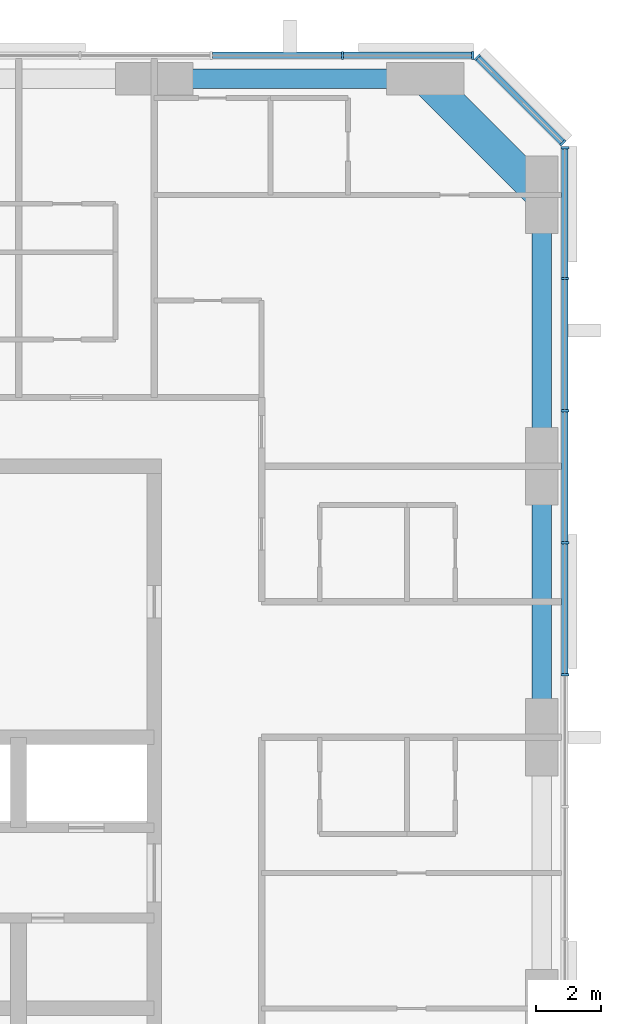
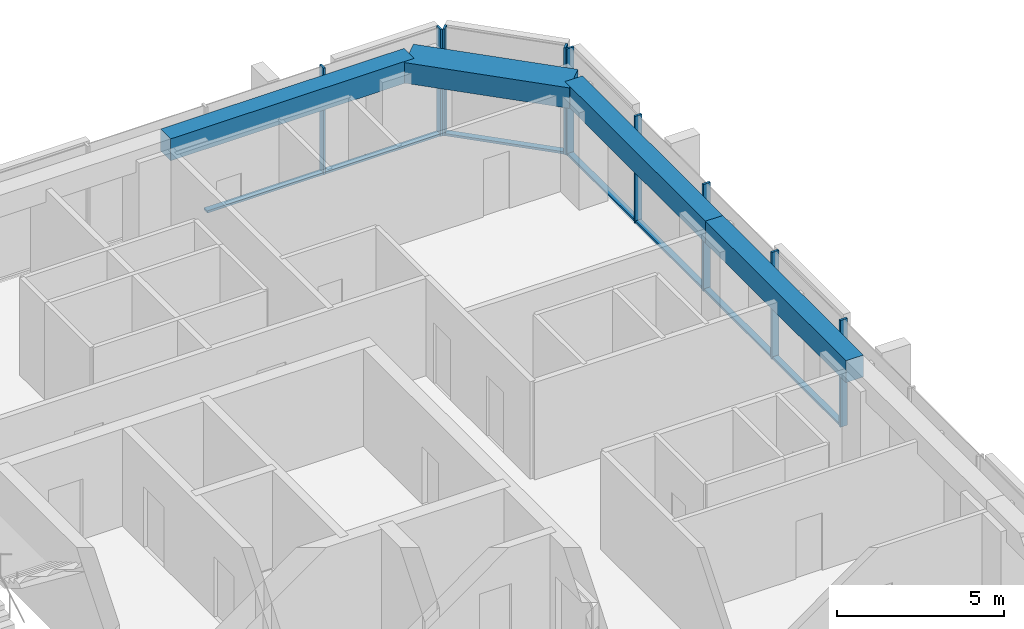
# One storey, part 5 of 12: 16 members, 4 beams, 3 elements without a shape of their own.
"""IFC4 building model written with IfcOpenShell, lengths in metres."""

from ifc_helpers import new_model, si_unit, direction, frame, origin, origin_2d, place, context, subcontext, project, spatial, rectangle, extrude, material, material_profile, profile_set, type_object, element, aggregate, save


model = new_model("IFC4")

# Units and contexts
model_context = context("Model", 3, precision=1e-05, world=origin(), true_north=direction((0.0, 1.0)))
body_context = subcontext(model_context, "Body", "Model", "MODEL_VIEW")
ifc_project = project(units=[si_unit("LENGTHUNIT", "METRE"), si_unit("AREAUNIT", "SQUARE_METRE"), si_unit("VOLUMEUNIT", "CUBIC_METRE"), si_unit("PLANEANGLEUNIT", "RADIAN"), si_unit("MASSUNIT", "GRAM", prefix="KILO")], contexts=[model_context])

# Site, building, storey
site_placement = place(None, origin())
site = spatial("IfcSite", under=ifc_project, at=site_placement, CompositionType="ELEMENT")
building_placement = place(site_placement, origin())
building = spatial("IfcBuilding", under=site, at=building_placement, Name="Dunama Terrace Hotel", CompositionType="ELEMENT")
storey_placement = place(building_placement, frame((0.0, 0.0, 268.5)))
storey = spatial("IfcBuildingStorey", under=building, at=storey_placement, Name="L69", CompositionType="ELEMENT", Elevation=268.5)

# Curtain wall, members
ifc_material_1 = material(Name="Aluminium curtain wall system", Category="aluminium")
curtain_wall_type = type_object("IfcCurtainWallType", Name="Unitised fritted glass wall CW-D", PredefinedType="NOTDEFINED", material=ifc_material_1)
curtain_wall_1_placement = place(storey_placement, origin())
curtain_wall_1 = element("IfcCurtainWall", 1, at=curtain_wall_1_placement, inside=storey, type_object=curtain_wall_type, Name="Unitised fritted glass wall CW-D L69", PredefinedType="NOTDEFINED")
ifc_material_2 = material(Name="Aluminium mullion", Category="aluminium")
ifc_material_profile_1 = material_profile(ifc_material_2, rectangle(XDim=0.070068359375, YDim=0.239990234375, at=origin_2d()), Name="CWD MULLION 70X240")
ifc_profile_set_1 = profile_set([ifc_material_profile_1], Name="Aluminium mullion")
member_type_1 = type_object("IfcMemberType", Name="CWD mullion 70x240", PredefinedType="MULLION", material=ifc_profile_set_1)
member_1_placement = place(storey_placement, frame((54.719970703125, 35.535888671875, 0.0), z_axis=(0.0, 0.0, 1.0), x_axis=(0.0, 1.0, 0.0)))
member_1 = element("IfcMember", 2, at=member_1_placement, type_object=member_type_1, Name="CWD mullion", PredefinedType="MULLION", context=body_context, shape_type="SweptSolid", body=[
    extrude(rectangle(XDim=0.070068359375, YDim=0.239990234375, at=origin_2d()), origin(), (0.0, 0.0, 1.0), 3.89990234375),
])
member_2_placement = place(storey_placement, frame((54.719970703125, 39.626953125, 0.0), z_axis=(0.0, 0.0, 1.0), x_axis=(0.0, 1.0, 0.0)))
member_2 = element("IfcMember", 3, at=member_2_placement, type_object=member_type_1, Name="CWD mullion", PredefinedType="MULLION", context=body_context, shape_type="SweptSolid", body=[
    extrude(rectangle(XDim=0.070068359375, YDim=0.239990234375, at=origin_2d()), origin(), (0.0, 0.0, 1.0), 3.89990234375),
])
member_3_placement = place(storey_placement, frame((54.719970703125, 43.718017578125, 0.0), z_axis=(0.0, 0.0, 1.0), x_axis=(0.0, 1.0, 0.0)))
member_3 = element("IfcMember", 4, at=member_3_placement, type_object=member_type_1, Name="CWD mullion", PredefinedType="MULLION", context=body_context, shape_type="SweptSolid", body=[
    extrude(rectangle(XDim=0.070068359375, YDim=0.239990234375, at=origin_2d()), origin(), (0.0, 0.0, 1.0), 3.89990234375),
])
member_4_placement = place(storey_placement, frame((54.719970703125, 47.80908203125, 0.0), z_axis=(0.0, 0.0, 1.0), x_axis=(0.0, 1.0, 0.0)))
member_4 = element("IfcMember", 5, at=member_4_placement, type_object=member_type_1, Name="CWD mullion", PredefinedType="MULLION", context=body_context, shape_type="SweptSolid", body=[
    extrude(rectangle(XDim=0.070068359375, YDim=0.239990234375, at=origin_2d()), origin(), (0.0, 0.0, 1.0), 3.89990234375),
])
member_5_placement = place(storey_placement, frame((54.719970703125, 51.864990234375, 0.0), z_axis=(0.0, 0.0, 1.0), x_axis=(0.0, 1.0, 0.0)))
member_5 = element("IfcMember", 6, at=member_5_placement, type_object=member_type_1, Name="CWD mullion", PredefinedType="MULLION", context=body_context, shape_type="SweptSolid", body=[
    extrude(rectangle(XDim=0.070068359375, YDim=0.239990234375, at=origin_2d()), origin(), (0.0, 0.0, 1.0), 3.89990234375),
])

curtain_wall_2_placement = place(storey_placement, origin())
curtain_wall_2 = element("IfcCurtainWall", 7, at=curtain_wall_2_placement, inside=storey, type_object=curtain_wall_type, Name="Unitised fritted glass wall CW-D L69", PredefinedType="NOTDEFINED")
member_6_placement = place(storey_placement, frame((54.659912109375, 52.010009765625, 0.0), z_axis=(0.0, 0.0, 1.0), x_axis=(-0.707106781187, 0.707106781187, 0.0)))
member_6 = element("IfcMember", 8, at=member_6_placement, type_object=member_type_1, Name="CWD mullion", PredefinedType="MULLION", context=body_context, shape_type="SweptSolid", body=[
    extrude(rectangle(XDim=0.070068359375, YDim=0.239990234375, at=origin_2d()), origin(), (0.0, 0.0, 1.0), 3.89990234375),
])
member_7_placement = place(storey_placement, frame((52.010009765625, 54.659912109375, 0.0), z_axis=(0.0, 0.0, 1.0), x_axis=(-0.707106781187, 0.707106781187, 0.0)))
member_7 = element("IfcMember", 9, at=member_7_placement, type_object=member_type_1, Name="CWD mullion", PredefinedType="MULLION", context=body_context, shape_type="SweptSolid", body=[
    extrude(rectangle(XDim=0.070068359375, YDim=0.239990234375, at=origin_2d()), origin(), (0.0, 0.0, 1.0), 3.89990234375),
])

curtain_wall_3_placement = place(storey_placement, origin())
curtain_wall_3 = element("IfcCurtainWall", 10, at=curtain_wall_3_placement, inside=storey, type_object=curtain_wall_type, Name="Unitised fritted glass wall CW-D L69", PredefinedType="NOTDEFINED")
member_8_placement = place(storey_placement, frame((51.864990234375, 54.719970703125, 0.0), z_axis=(0.0, 0.0, 1.0), x_axis=(-1.0, 0.0, 0.0)))
member_8 = element("IfcMember", 11, at=member_8_placement, type_object=member_type_1, Name="CWD mullion", PredefinedType="MULLION", context=body_context, shape_type="SweptSolid", body=[
    extrude(rectangle(XDim=0.070068359375, YDim=0.239990234375, at=origin_2d()), origin(), (0.0, 0.0, 1.0), 3.89990234375),
])
member_9_placement = place(storey_placement, frame((47.8330078125, 54.719970703125, 0.0), z_axis=(0.0, 0.0, 1.0), x_axis=(-1.0, 0.0, 0.0)))
member_9 = element("IfcMember", 12, at=member_9_placement, type_object=member_type_1, Name="CWD mullion", PredefinedType="MULLION", context=body_context, shape_type="SweptSolid", body=[
    extrude(rectangle(XDim=0.070068359375, YDim=0.239990234375, at=origin_2d()), origin(), (0.0, 0.0, 1.0), 3.89990234375),
])

# Member
ifc_material_3 = material(Name="Aluminium transom", Category="aluminium")
ifc_material_profile_2 = material_profile(ifc_material_3, rectangle(XDim=0.199951171875, YDim=0.0849609375, at=origin_2d()), Name="CWD TRANSOM 200X85")
ifc_profile_set_2 = profile_set([ifc_material_profile_2], Name="Aluminium transom")
member_type_2 = type_object("IfcMemberType", Name="CWD transom 200x85", PredefinedType="USERDEFINED", material=ifc_profile_set_2)
member_10_placement = place(storey_placement, frame((54.719970703125, 35.571044921875, 0.04248046875), z_axis=(0.0, 1.0, 0.0), x_axis=(-1.0, 0.0, 0.0)))
member_10 = element("IfcMember", 13, at=member_10_placement, type_object=member_type_2, Name="CWD transom", ObjectType="TRANSOM", PredefinedType="USERDEFINED", context=body_context, shape_type="SweptSolid", body=[
    extrude(rectangle(XDim=0.199951171875, YDim=0.0849609375, at=origin_2d()), origin(), (0.0, 0.0, 1.0), 4.02099609375),
])

member_11_placement = place(storey_placement, frame((54.719970703125, 39.662109375, 0.04248046875), z_axis=(0.0, 1.0, 0.0), x_axis=(-1.0, 0.0, 0.0)))
member_11 = element("IfcMember", 14, at=member_11_placement, type_object=member_type_2, Name="CWD transom", ObjectType="TRANSOM", PredefinedType="USERDEFINED", context=body_context, shape_type="SweptSolid", body=[
    extrude(rectangle(XDim=0.199951171875, YDim=0.0849609375, at=origin_2d()), origin(), (0.0, 0.0, 1.0), 4.02099609375),
])

member_12_placement = place(storey_placement, frame((54.719970703125, 43.7529296875, 0.04248046875), z_axis=(0.0, 1.0, 0.0), x_axis=(-1.0, 0.0, 0.0)))
member_12 = element("IfcMember", 15, at=member_12_placement, type_object=member_type_2, Name="CWD transom", ObjectType="TRANSOM", PredefinedType="USERDEFINED", context=body_context, shape_type="SweptSolid", body=[
    extrude(rectangle(XDim=0.199951171875, YDim=0.0849609375, at=origin_2d()), origin(), (0.0, 0.0, 1.0), 4.02099609375),
])

member_13_placement = place(storey_placement, frame((54.719970703125, 47.843994140625, 0.04248046875), z_axis=(0.0, 1.0, 0.0), x_axis=(-1.0, 0.0, 0.0)))
member_13 = element("IfcMember", 16, at=member_13_placement, type_object=member_type_2, Name="CWD transom", ObjectType="TRANSOM", PredefinedType="USERDEFINED", context=body_context, shape_type="SweptSolid", body=[
    extrude(rectangle(XDim=0.199951171875, YDim=0.0849609375, at=origin_2d()), origin(), (0.0, 0.0, 1.0), 3.986083984375),
])

aggregate(curtain_wall_1, [member_1, member_2, member_3, member_4, member_5, member_10, member_11, member_12, member_13])

member_14_placement = place(storey_placement, frame((54.635009765625, 52.033935546875, 0.04248046875), z_axis=(-0.707106781187, 0.707106781187, 0.0), x_axis=(-0.707106781187, -0.707106781187, 0.0)))
member_14 = element("IfcMember", 17, at=member_14_placement, type_object=member_type_2, Name="CWD transom", ObjectType="TRANSOM", PredefinedType="USERDEFINED", context=body_context, shape_type="SweptSolid", body=[
    extrude(rectangle(XDim=0.199951171875, YDim=0.0849609375, at=origin_2d()), origin(), (0.0, 0.0, 1.0), 3.678466796875),
])

aggregate(curtain_wall_2, [member_6, member_7, member_14])

member_15_placement = place(storey_placement, frame((51.830078125, 54.719970703125, 0.04248046875), z_axis=(-1.0, 0.0, 0.0), x_axis=(0.0, -1.0, 0.0)))
member_15 = element("IfcMember", 18, at=member_15_placement, type_object=member_type_2, Name="CWD transom", ObjectType="TRANSOM", PredefinedType="USERDEFINED", context=body_context, shape_type="SweptSolid", body=[
    extrude(rectangle(XDim=0.199951171875, YDim=0.0849609375, at=origin_2d()), origin(), (0.0, 0.0, 1.0), 3.962158203125),
])

member_16_placement = place(storey_placement, frame((47.798095703125, 54.719970703125, 0.04248046875), z_axis=(-1.0, 0.0, 0.0), x_axis=(0.0, -1.0, 0.0)))
member_16 = element("IfcMember", 19, at=member_16_placement, type_object=member_type_2, Name="CWD transom", ObjectType="TRANSOM", PredefinedType="USERDEFINED", context=body_context, shape_type="SweptSolid", body=[
    extrude(rectangle(XDim=0.199951171875, YDim=0.0849609375, at=origin_2d()), origin(), (0.0, 0.0, 1.0), 3.99609375),
])

aggregate(curtain_wall_3, [member_8, member_9, member_15, member_16])

# Beams
ifc_material_4 = material(Name="Concrete C50/60", Category="concrete")
ifc_material_profile_3 = material_profile(ifc_material_4, rectangle(XDim=1.0, YDim=0.75, at=origin_2d()), Name="RC 1000x750")
ifc_profile_set_3 = profile_set([ifc_material_profile_3], Name="Concrete C50/60")
beam_type_1 = type_object("IfcBeamType", Name="Edge beam RC 1000x750", PredefinedType="SPANDREL", material=ifc_profile_set_3)
beam_placement = place(storey_placement, frame((50.39990234375, 54.0, 3.52490234375), z_axis=(0.707106781187, -0.707106781187, 0.0), x_axis=(0.707106781187, 0.707106781187, 0.0)))
element("IfcBeam", 20, at=beam_placement, inside=storey, type_object=beam_type_1, Name="Corner edge beam under L70", PredefinedType="SPANDREL", context=body_context, shape_type="SweptSolid", body=[
    extrude(rectangle(XDim=1.0, YDim=0.75, at=origin_2d()), origin(), (0.0, 0.0, 1.0), 5.09130859375),
])
ifc_material_5 = material(Name="Concrete C40/50", Category="concrete")
ifc_material_profile_4 = material_profile(ifc_material_5, rectangle(XDim=0.60009765625, YDim=0.800048828125, at=origin_2d()), Name="RC 600x800")
ifc_profile_set_4 = profile_set([ifc_material_profile_4], Name="Concrete C40/50")
beam_type_2 = type_object("IfcBeamType", Name="Edge beam RC 600x800", PredefinedType="SPANDREL", material=ifc_profile_set_4)
for number, where, z_axis, x_axis, name in (
    (21, (54.0, 33.60009765625, 3.5), (0.0, 1.0, 0.0), (-1.0, 0.0, 0.0), "Edge beam under L70"),
    (22, (54.0, 42.0, 3.5), (0.0, 1.0, 0.0), (-1.0, 0.0, 0.0), "Edge beam under L70"),
    (23, (42.0, 54.0, 3.5), (1.0, 0.0, 0.0), (0.0, 1.0, 0.0), "Edge beam under L70"),
):
    element("IfcBeam", number, at=place(storey_placement, frame(where, z_axis=z_axis, x_axis=x_axis)), inside=storey, type_object=beam_type_2, Name=name, PredefinedType="SPANDREL", context=body_context, shape_type="SweptSolid", body=[
        extrude(rectangle(XDim=0.60009765625, YDim=0.800048828125, at=origin_2d()), origin(), (0.0, 0.0, 1.0), 8.39990234375),
    ])

save(model, "model.ifc")
